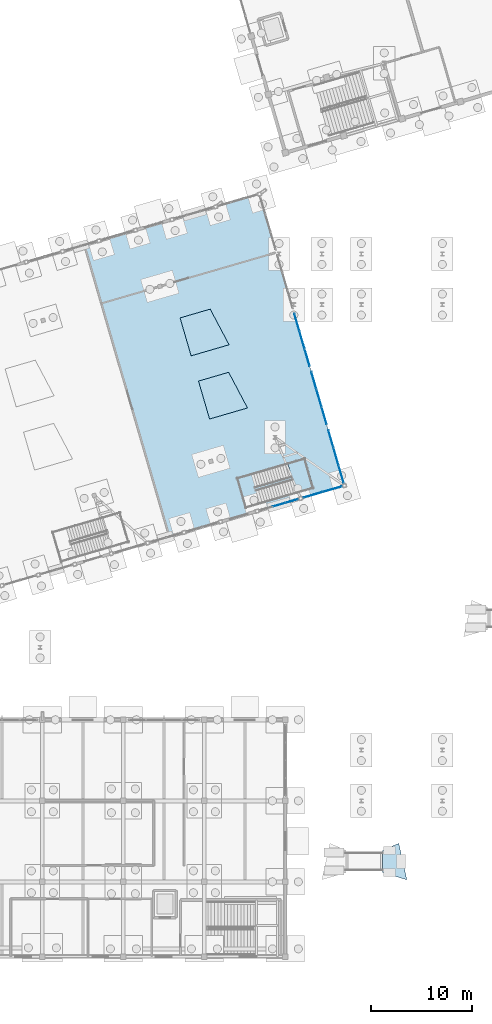
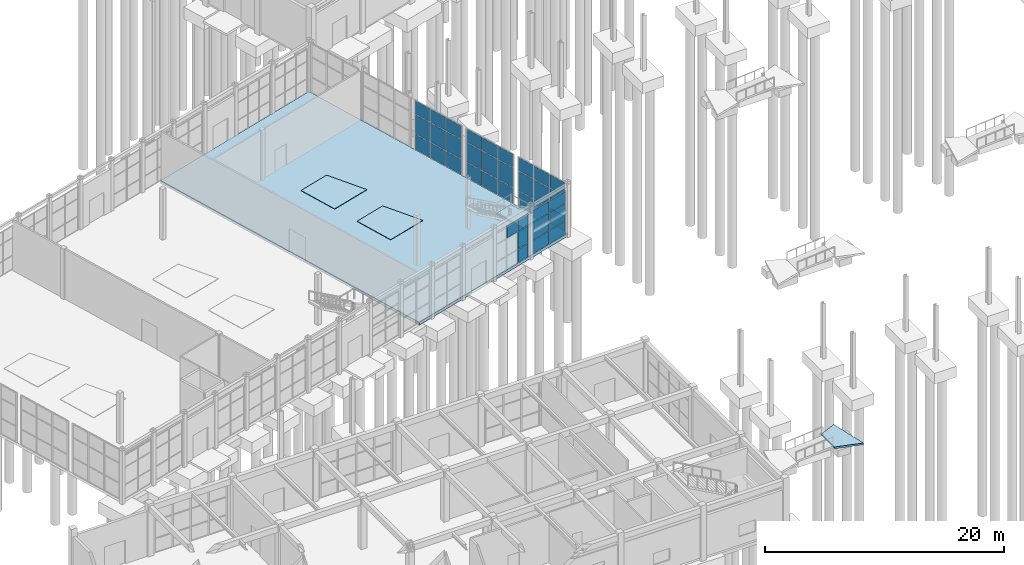
# One storey, part 64 of 90: 37 plates, 5 slabs, 6 elements without a shape of their own.
"""IFC4 building model written with IfcOpenShell, lengths in metres."""

import ifcopenshell
import ifcopenshell.guid

model = None  # the IFC model being written
_history = None  # IfcOwnerHistory: only IFC2X3 demands one
_inside = {}  # id of a spatial element -> (the spatial element, [elements in it])
_under = {}  # id of a project, library or spatial element -> (it, [spatial elements below it])
_declared = {}  # id of a project -> (the project, [libraries it declares])
_typed = {}  # id of a type object -> (the type object, [elements of that type])
_made_of = {}  # id of a material, layer set ... -> (it, [elements and type objects made of it])


def new_model(schema):
    """Start an empty IFC model of exactly this schema.

    Asked for "IFC4X3", IfcOpenShell would pick the latest addendum, in which some entities
    have other attributes; the version numbers below select the first issue.
    IFC2X3 requires an IfcOwnerHistory on every rooted entity: one is made here for all.
    """
    global model, _history
    if schema == "IFC4X3":
        model = ifcopenshell.file(schema_version=(4, 3, 0, 0))
    else:
        model = ifcopenshell.file(schema=schema)
    _inside.clear()
    _under.clear()
    _declared.clear()
    _typed.clear()
    _made_of.clear()
    _history = None
    if model.schema == "IFC2X3":
        org = make("IfcOrganization", Name="unknown")
        user = make(
            "IfcPersonAndOrganization",
            ThePerson=make("IfcPerson", FamilyName="unknown"),
            TheOrganization=org,
        )
        app = make(
            "IfcApplication",
            ApplicationDeveloper=org,
            Version="unknown",
            ApplicationFullName="unknown",
            ApplicationIdentifier="unknown",
        )
        _history = make(
            "IfcOwnerHistory",
            OwningUser=user,
            OwningApplication=app,
            ChangeAction="ADDED",
            CreationDate=0,
        )
    return model


def make(cls, **values):
    """One entity of the class cls with the attributes given. An attribute that is None is left unset."""
    return model.create_entity(
        cls, **{name: value for name, value in values.items() if value is not None}
    )


def rooted(cls, **values):
    """An entity with a GlobalId (a new one), such as an element, a storey or a relation."""
    return make(cls, GlobalId=ifcopenshell.guid.new(), OwnerHistory=_history, **values)


def si_unit(unit_type, name, prefix=None):
    """IfcSIUnit, for example si_unit("LENGTHUNIT", "METRE", prefix="MILLI")."""
    return make("IfcSIUnit", UnitType=unit_type, Prefix=prefix, Name=name)


def assignment(units):
    """IfcUnitAssignment: the units of a project."""
    return None if units is None else make("IfcUnitAssignment", Units=units)


def point(xyz):
    """IfcCartesianPoint."""
    return None if xyz is None else make("IfcCartesianPoint", Coordinates=xyz)


def direction(xyz):
    """IfcDirection."""
    return None if xyz is None else make("IfcDirection", DirectionRatios=xyz)


def frame(location, z_axis=None, x_axis=None):
    """IfcAxis2Placement3D, a coordinate frame: its origin and axes. An axis left out is left unset."""
    return make(
        "IfcAxis2Placement3D",
        Location=point(location),
        Axis=direction(z_axis),
        RefDirection=direction(x_axis),
    )


def frame_2d(location, x_axis=None):
    """IfcAxis2Placement2D, a coordinate frame in the plane: its origin and x axis."""
    return make(
        "IfcAxis2Placement2D", Location=point(location), RefDirection=direction(x_axis)
    )


def origin():
    """The frame at (0, 0, 0) with its axes left unset."""
    return frame((0.0, 0.0, 0.0))


def origin_2d():
    """The frame at (0, 0) in the plane with its x axis left unset."""
    return frame_2d((0.0, 0.0))


def place(relative_to, where):
    """IfcLocalPlacement: puts the frame where relative to a parent placement (None: the world)."""
    return make(
        "IfcLocalPlacement", PlacementRelTo=relative_to, RelativePlacement=where
    )


def context(
    kind, dimensions, precision=None, world=None, true_north=None, identifier=None
):
    """IfcGeometricRepresentationContext, for example the 3D "Model" context."""
    return make(
        "IfcGeometricRepresentationContext",
        ContextIdentifier=identifier,
        ContextType=kind,
        CoordinateSpaceDimension=dimensions,
        Precision=precision,
        WorldCoordinateSystem=world,
        TrueNorth=true_north,
    )


def subcontext(parent, identifier, kind, view, scale=None):
    """IfcGeometricRepresentationSubContext, for example "Body" below "Model"."""
    return make(
        "IfcGeometricRepresentationSubContext",
        ContextIdentifier=identifier,
        ContextType=kind,
        ParentContext=parent,
        TargetScale=scale,
        TargetView=view,
    )


def project(units=None, contexts=None):
    """IfcProject with its units and contexts."""
    return rooted(
        "IfcProject",
        Name="project",
        RepresentationContexts=contexts,
        UnitsInContext=assignment(units),
    )


def spatial(cls, under=None, at=None, **own):
    """A site, building, storey or space (cls), placed at a placement, below another one or the project."""
    s = rooted(cls, ObjectPlacement=at, **own)
    if under is not None:
        _under.setdefault(under.id(), (under, []))[1].append(s)
    return s


def polyline(points):
    """IfcPolyline through the points."""
    return make("IfcPolyline", Points=[point(p) for p in points])


def profile(cls, at=None, kind="AREA", **sizes):
    """A parametric profile (cls). Its sizes go by their IFC names, for example OverallWidth=200.0."""
    return make(cls, ProfileType=kind, Position=at, **sizes)


def rectangle(**sizes):
    """IfcRectangleProfileDef."""
    return profile("IfcRectangleProfileDef", **sizes)


def outline(outer, holes=None, kind="AREA"):
    """IfcArbitraryClosedProfileDef: a profile drawn as a closed curve; with holes, ...WithVoids."""
    if holes is None:
        return make("IfcArbitraryClosedProfileDef", ProfileType=kind, OuterCurve=outer)
    return make(
        "IfcArbitraryProfileDefWithVoids",
        ProfileType=kind,
        OuterCurve=outer,
        InnerCurves=holes,
    )


def extrude(swept, where, along, depth):
    """IfcExtrudedAreaSolid: the profile swept, set in the frame where, extruded along a direction by depth."""
    return make(
        "IfcExtrudedAreaSolid",
        SweptArea=swept,
        Position=where,
        ExtrudedDirection=direction(along),
        Depth=depth,
    )


def shape(context_of_items, identifier, shape_type, items):
    """IfcShapeRepresentation: the items that make up one representation, for example the "Body"."""
    return make(
        "IfcShapeRepresentation",
        ContextOfItems=context_of_items,
        RepresentationIdentifier=identifier,
        RepresentationType=shape_type,
        Items=items,
    )


def material(Name=None, Category=None):
    """IfcMaterial."""
    return make("IfcMaterial", Name=Name, Category=Category)


def layer(
    of_material, thickness, ventilated=None, Name=None, Category=None, Priority=None
):
    """IfcMaterialLayer: one layer of a wall or slab, of a material (None: an air gap)."""
    return make(
        "IfcMaterialLayer",
        Material=of_material,
        LayerThickness=thickness,
        IsVentilated=ventilated,
        Name=Name,
        Category=Category,
        Priority=Priority,
    )


def layer_set(layers, Name=None):
    """IfcMaterialLayerSet."""
    return make("IfcMaterialLayerSet", MaterialLayers=layers, LayerSetName=Name)


def made_of(thing, what):
    """Note that an element or type object is made of a material, layer set ...; save() writes the relation."""
    if what is not None:
        _made_of.setdefault(what.id(), (what, []))[1].append(thing)
    return thing


def type_object(cls, material=None, **own):
    """A type object (cls), such as IfcWallType, which elements share."""
    return made_of(rooted(cls, **own), material)


def element(
    cls,
    number,
    at=None,
    inside=None,
    cuts=None,
    type_object=None,
    material=None,
    context=None,
    identifier="Body",
    shape_type=None,
    held_by="IfcProductDefinitionShape",
    body=None,
    shapes=None,
    **own,
):
    """One element of the class cls, such as IfcWall. Its Tag is "e" and its number.

    at: its placement. inside: the storey or other place that contains it. cuts: it is an
    opening in that element (IfcRelVoidsElement). A single representation is given by context,
    identifier, shape_type and body (its items); several are given by shapes. held_by: the class
    of the entity that holds the representations. save() writes the other relations.
    """
    e = rooted(cls, Tag="e%d" % number, ObjectPlacement=at, **own)
    if body is not None:
        shapes = [shape(context, identifier, shape_type, body)]
    if shapes is not None:
        e.Representation = make(held_by, Representations=shapes)
    if inside is not None:
        _inside.setdefault(inside.id(), (inside, []))[1].append(e)
    if cuts is not None:
        rooted(
            "IfcRelVoidsElement", RelatingBuildingElement=cuts, RelatedOpeningElement=e
        )
    if type_object is not None:
        _typed.setdefault(type_object.id(), (type_object, []))[1].append(e)
    return made_of(e, material)


def aggregate(whole, parts):
    """IfcRelAggregates: a whole, such as a stair, and the parts it consists of."""
    return rooted("IfcRelAggregates", RelatingObject=whole, RelatedObjects=parts)


def save(model, path):
    """Write the relations noted so far, then the file.

    IfcRelAggregates (storeys below a building ...), IfcRelContainedInSpatialStructure (elements
    in a storey), IfcRelDefinesByType, IfcRelAssociatesMaterial and IfcRelDeclares: one each for
    every whole, place, type object, material and project.
    """
    for whole, parts in _under.values():
        aggregate(whole, parts)
    for where, things in _inside.values():
        rooted(
            "IfcRelContainedInSpatialStructure",
            RelatedElements=things,
            RelatingStructure=where,
        )
    for kind, things in _typed.values():
        rooted("IfcRelDefinesByType", RelatedObjects=things, RelatingType=kind)
    for what, things in _made_of.values():
        rooted("IfcRelAssociatesMaterial", RelatedObjects=things, RelatingMaterial=what)
    for by, libraries in _declared.values():
        rooted("IfcRelDeclares", RelatingContext=by, RelatedDefinitions=libraries)
    model.write(path)


model = new_model("IFC4")

# Units and contexts
model_context = context("Model", 3, precision=1e-05, world=origin(), true_north=direction((0.0, 1.0)))
body_context = subcontext(model_context, "Body", "Model", "MODEL_VIEW")
ifc_project = project(units=[si_unit("LENGTHUNIT", "METRE"), si_unit("AREAUNIT", "SQUARE_METRE"), si_unit("VOLUMEUNIT", "CUBIC_METRE"), si_unit("PLANEANGLEUNIT", "RADIAN"), si_unit("MASSUNIT", "GRAM", prefix="KILO")], contexts=[model_context])

# Site, building, storey
site_placement = place(None, origin())
site = spatial("IfcSite", under=ifc_project, at=site_placement, CompositionType="ELEMENT")
building_placement = place(site_placement, origin())
building = spatial("IfcBuilding", under=site, at=building_placement, Name="Canggui Botanical Conservatory", CompositionType="ELEMENT")
storey_placement = place(building_placement, origin())
storey = spatial("IfcBuildingStorey", under=building, at=storey_placement, Name="L01", CompositionType="ELEMENT", Elevation=0.0)

# Curtain wall, plates
ifc_material_1 = material(Name="Thermally Broken Aluminium", Category="aluminium")
ifc_layer_1 = layer(ifc_material_1, 0.14990234375, Name="Thermally Broken Aluminium", Category="aluminium")
ifc_layer_set_1 = layer_set([ifc_layer_1], Name="Thermally Broken Aluminium")
curtain_wall_type_1 = type_object("IfcCurtainWallType", Name="CW-UNIT-C", PredefinedType="USERDEFINED", material=ifc_layer_set_1)
curtain_wall_1_placement = place(storey_placement, origin())
curtain_wall_1 = element("IfcCurtainWall", 1, at=curtain_wall_1_placement, inside=storey, type_object=curtain_wall_type_1, Name="Facade Curtain Wall CW-CONS-GABLE-N-01", ObjectType="UNITISED CURTAIN WALL", PredefinedType="USERDEFINED")
ifc_material_2 = material(Name="Low-E Insulated Glass", Category="glass")
ifc_layer_2 = layer(ifc_material_2, 0.033935546875, Name="Low-E Insulated Glass", Category="glass")
ifc_layer_set_2 = layer_set([ifc_layer_2], Name="Low-E Insulated Glass")
plate_type_1 = type_object("IfcPlateType", Name="CWP-03", PredefinedType="CURTAIN_PANEL", material=ifc_layer_set_2)
plate_1_placement = place(storey_placement, frame((71.509033203125, 58.25439453125, 0.05517578125), z_axis=(0.0, 0.0, 1.0), x_axis=(-0.279999999995, 0.960000000002, 0.0)))
plate_1 = element("IfcPlate", 2, at=plate_1_placement, type_object=plate_type_1, Name="CW-03 panel 1.1", PredefinedType="CURTAIN_PANEL", context=body_context, shape_type="SweptSolid", body=[
    extrude(rectangle(XDim=1.743408203125, YDim=0.033935546875, at=origin_2d()), origin(), (0.0, 0.0, 1.0), 1.549560546875),
])
plate_2_placement = place(storey_placement, frame((71.509033203125, 58.25439453125, 1.65966796875), z_axis=(0.0, 0.0, 1.0), x_axis=(-0.279999999995, 0.960000000002, 0.0)))
plate_2 = element("IfcPlate", 3, at=plate_2_placement, type_object=plate_type_1, Name="CW-03 panel 1.2", PredefinedType="CURTAIN_PANEL", context=body_context, shape_type="SweptSolid", body=[
    extrude(rectangle(XDim=1.743408203125, YDim=0.033935546875, at=origin_2d()), origin(), (0.0, 0.0, 1.0), 1.985107421875),
])
plate_3_placement = place(storey_placement, frame((71.509033203125, 58.25439453125, 3.69970703125), z_axis=(0.0, 0.0, 1.0), x_axis=(-0.279999999995, 0.960000000002, 0.0)))
plate_3 = element("IfcPlate", 4, at=plate_3_placement, type_object=plate_type_1, Name="CW-03 panel 1.3", PredefinedType="CURTAIN_PANEL", context=body_context, shape_type="SweptSolid", body=[
    extrude(rectangle(XDim=1.743408203125, YDim=0.033935546875, at=origin_2d()), origin(), (0.0, 0.0, 1.0), 1.345458984375),
])
plate_4_placement = place(storey_placement, frame((71.0, 60.0, 0.05517578125), z_axis=(0.0, 0.0, 1.0), x_axis=(-0.279999999995, 0.960000000002, 0.0)))
plate_4 = element("IfcPlate", 5, at=plate_4_placement, type_object=plate_type_1, Name="CW-03 panel 2.1", PredefinedType="CURTAIN_PANEL", context=body_context, shape_type="SweptSolid", body=[
    extrude(rectangle(XDim=1.7734375, YDim=0.033935546875, at=origin_2d()), origin(), (0.0, 0.0, 1.0), 1.549560546875),
])
plate_5_placement = place(storey_placement, frame((71.0, 60.0, 1.65966796875), z_axis=(0.0, 0.0, 1.0), x_axis=(-0.279999999995, 0.960000000002, 0.0)))
plate_5 = element("IfcPlate", 6, at=plate_5_placement, type_object=plate_type_1, Name="CW-03 panel 2.2", PredefinedType="CURTAIN_PANEL", context=body_context, shape_type="SweptSolid", body=[
    extrude(rectangle(XDim=1.7734375, YDim=0.033935546875, at=origin_2d()), origin(), (0.0, 0.0, 1.0), 1.985107421875),
])
plate_6_placement = place(storey_placement, frame((71.0, 60.0, 3.69970703125), z_axis=(0.0, 0.0, 1.0), x_axis=(-0.279999999995, 0.960000000002, 0.0)))
plate_6 = element("IfcPlate", 7, at=plate_6_placement, type_object=plate_type_1, Name="CW-03 panel 2.3", PredefinedType="CURTAIN_PANEL", context=body_context, shape_type="SweptSolid", body=[
    extrude(rectangle(XDim=1.7734375, YDim=0.033935546875, at=origin_2d()), origin(), (0.0, 0.0, 1.0), 1.345458984375),
])
plate_7_placement = place(storey_placement, frame((70.490966796875, 61.74560546875, 0.05517578125), z_axis=(0.0, 0.0, 1.0), x_axis=(-0.279999999995, 0.960000000002, 0.0)))
plate_7 = element("IfcPlate", 8, at=plate_7_placement, type_object=plate_type_1, Name="CW-03 panel 3.1", PredefinedType="CURTAIN_PANEL", context=body_context, shape_type="SweptSolid", body=[
    extrude(rectangle(XDim=1.743408203125, YDim=0.033935546875, at=origin_2d()), origin(), (0.0, 0.0, 1.0), 1.549560546875),
])
plate_8_placement = place(storey_placement, frame((70.490966796875, 61.74560546875, 1.65966796875), z_axis=(0.0, 0.0, 1.0), x_axis=(-0.279999999995, 0.960000000002, 0.0)))
plate_8 = element("IfcPlate", 9, at=plate_8_placement, type_object=plate_type_1, Name="CW-03 panel 3.2", PredefinedType="CURTAIN_PANEL", context=body_context, shape_type="SweptSolid", body=[
    extrude(rectangle(XDim=1.743408203125, YDim=0.033935546875, at=origin_2d()), origin(), (0.0, 0.0, 1.0), 1.985107421875),
])
plate_9_placement = place(storey_placement, frame((70.490966796875, 61.74560546875, 3.69970703125), z_axis=(0.0, 0.0, 1.0), x_axis=(-0.279999999995, 0.960000000002, 0.0)))
plate_9 = element("IfcPlate", 10, at=plate_9_placement, type_object=plate_type_1, Name="CW-03 panel 3.3", PredefinedType="CURTAIN_PANEL", context=body_context, shape_type="SweptSolid", body=[
    extrude(rectangle(XDim=1.743408203125, YDim=0.033935546875, at=origin_2d()), origin(), (0.0, 0.0, 1.0), 1.345458984375),
])
aggregate(curtain_wall_1, [plate_1, plate_2, plate_3, plate_4, plate_5, plate_6, plate_7, plate_8, plate_9])

curtain_wall_2_placement = place(storey_placement, origin())
curtain_wall_2 = element("IfcCurtainWall", 11, at=curtain_wall_2_placement, inside=storey, type_object=curtain_wall_type_1, Name="Facade Curtain Wall CW-CONS-GABLE-N-02", ObjectType="UNITISED CURTAIN WALL", PredefinedType="USERDEFINED")
plate_10_placement = place(storey_placement, frame((69.8291015625, 64.014404296875, 0.05517578125), z_axis=(0.0, 0.0, 1.0), x_axis=(-0.279999999995, 0.960000000002, 0.0)))
plate_10 = element("IfcPlate", 12, at=plate_10_placement, type_object=plate_type_1, Name="CW-03 panel 1.1", PredefinedType="CURTAIN_PANEL", context=body_context, shape_type="SweptSolid", body=[
    extrude(rectangle(XDim=1.743408203125, YDim=0.033935546875, at=origin_2d()), origin(), (0.0, 0.0, 1.0), 1.549560546875),
])
plate_11_placement = place(storey_placement, frame((69.8291015625, 64.014404296875, 1.65966796875), z_axis=(0.0, 0.0, 1.0), x_axis=(-0.279999999995, 0.960000000002, 0.0)))
plate_11 = element("IfcPlate", 13, at=plate_11_placement, type_object=plate_type_1, Name="CW-03 panel 1.2", PredefinedType="CURTAIN_PANEL", context=body_context, shape_type="SweptSolid", body=[
    extrude(rectangle(XDim=1.743408203125, YDim=0.033935546875, at=origin_2d()), origin(), (0.0, 0.0, 1.0), 1.985107421875),
])
plate_12_placement = place(storey_placement, frame((69.8291015625, 64.014404296875, 3.69970703125), z_axis=(0.0, 0.0, 1.0), x_axis=(-0.279999999995, 0.960000000002, 0.0)))
plate_12 = element("IfcPlate", 14, at=plate_12_placement, type_object=plate_type_1, Name="CW-03 panel 1.3", PredefinedType="CURTAIN_PANEL", context=body_context, shape_type="SweptSolid", body=[
    extrude(rectangle(XDim=1.743408203125, YDim=0.033935546875, at=origin_2d()), origin(), (0.0, 0.0, 1.0), 1.345458984375),
])
plate_13_placement = place(storey_placement, frame((69.320068359375, 65.760009765625, 0.05517578125), z_axis=(0.0, 0.0, 1.0), x_axis=(-0.279999999995, 0.960000000002, 0.0)))
plate_13 = element("IfcPlate", 15, at=plate_13_placement, type_object=plate_type_1, Name="CW-03 panel 2.1", PredefinedType="CURTAIN_PANEL", context=body_context, shape_type="SweptSolid", body=[
    extrude(rectangle(XDim=1.7734375, YDim=0.033935546875, at=origin_2d()), origin(), (0.0, 0.0, 1.0), 1.549560546875),
])
plate_14_placement = place(storey_placement, frame((69.320068359375, 65.760009765625, 1.65966796875), z_axis=(0.0, 0.0, 1.0), x_axis=(-0.279999999995, 0.960000000002, 0.0)))
plate_14 = element("IfcPlate", 16, at=plate_14_placement, type_object=plate_type_1, Name="CW-03 panel 2.2", PredefinedType="CURTAIN_PANEL", context=body_context, shape_type="SweptSolid", body=[
    extrude(rectangle(XDim=1.7734375, YDim=0.033935546875, at=origin_2d()), origin(), (0.0, 0.0, 1.0), 1.985107421875),
])
plate_15_placement = place(storey_placement, frame((69.320068359375, 65.760009765625, 3.69970703125), z_axis=(0.0, 0.0, 1.0), x_axis=(-0.279999999995, 0.960000000002, 0.0)))
plate_15 = element("IfcPlate", 17, at=plate_15_placement, type_object=plate_type_1, Name="CW-03 panel 2.3", PredefinedType="CURTAIN_PANEL", context=body_context, shape_type="SweptSolid", body=[
    extrude(rectangle(XDim=1.7734375, YDim=0.033935546875, at=origin_2d()), origin(), (0.0, 0.0, 1.0), 1.345458984375),
])
plate_16_placement = place(storey_placement, frame((68.810791015625, 67.505615234375, 0.05517578125), z_axis=(0.0, 0.0, 1.0), x_axis=(-0.279999999995, 0.960000000002, 0.0)))
plate_16 = element("IfcPlate", 18, at=plate_16_placement, type_object=plate_type_1, Name="CW-03 panel 3.1", PredefinedType="CURTAIN_PANEL", context=body_context, shape_type="SweptSolid", body=[
    extrude(rectangle(XDim=1.743408203125, YDim=0.033935546875, at=origin_2d()), origin(), (0.0, 0.0, 1.0), 1.549560546875),
])
plate_17_placement = place(storey_placement, frame((68.810791015625, 67.505615234375, 1.65966796875), z_axis=(0.0, 0.0, 1.0), x_axis=(-0.279999999995, 0.960000000002, 0.0)))
plate_17 = element("IfcPlate", 19, at=plate_17_placement, type_object=plate_type_1, Name="CW-03 panel 3.2", PredefinedType="CURTAIN_PANEL", context=body_context, shape_type="SweptSolid", body=[
    extrude(rectangle(XDim=1.743408203125, YDim=0.033935546875, at=origin_2d()), origin(), (0.0, 0.0, 1.0), 1.985107421875),
])
plate_18_placement = place(storey_placement, frame((68.810791015625, 67.505615234375, 3.69970703125), z_axis=(0.0, 0.0, 1.0), x_axis=(-0.279999999995, 0.960000000002, 0.0)))
plate_18 = element("IfcPlate", 20, at=plate_18_placement, type_object=plate_type_1, Name="CW-03 panel 3.3", PredefinedType="CURTAIN_PANEL", context=body_context, shape_type="SweptSolid", body=[
    extrude(rectangle(XDim=1.743408203125, YDim=0.033935546875, at=origin_2d()), origin(), (0.0, 0.0, 1.0), 1.345458984375),
])
aggregate(curtain_wall_2, [plate_10, plate_11, plate_12, plate_13, plate_14, plate_15, plate_16, plate_17, plate_18])

curtain_wall_3_placement = place(storey_placement, origin())
curtain_wall_3 = element("IfcCurtainWall", 21, at=curtain_wall_3_placement, inside=storey, type_object=curtain_wall_type_1, Name="Facade Curtain Wall CW-CONS-GABLE-N-03", ObjectType="UNITISED CURTAIN WALL", PredefinedType="USERDEFINED")
plate_19_placement = place(storey_placement, frame((68.149169921875, 69.7744140625, 0.05517578125), z_axis=(0.0, 0.0, 1.0), x_axis=(-0.279999999995, 0.960000000002, 0.0)))
plate_19 = element("IfcPlate", 22, at=plate_19_placement, type_object=plate_type_1, Name="CW-03 panel 1.1", PredefinedType="CURTAIN_PANEL", context=body_context, shape_type="SweptSolid", body=[
    extrude(rectangle(XDim=1.743408203125, YDim=0.033935546875, at=origin_2d()), origin(), (0.0, 0.0, 1.0), 1.549560546875),
])
plate_20_placement = place(storey_placement, frame((68.149169921875, 69.7744140625, 1.65966796875), z_axis=(0.0, 0.0, 1.0), x_axis=(-0.279999999995, 0.960000000002, 0.0)))
plate_20 = element("IfcPlate", 23, at=plate_20_placement, type_object=plate_type_1, Name="CW-03 panel 1.2", PredefinedType="CURTAIN_PANEL", context=body_context, shape_type="SweptSolid", body=[
    extrude(rectangle(XDim=1.743408203125, YDim=0.033935546875, at=origin_2d()), origin(), (0.0, 0.0, 1.0), 1.985107421875),
])
plate_21_placement = place(storey_placement, frame((68.149169921875, 69.7744140625, 3.69970703125), z_axis=(0.0, 0.0, 1.0), x_axis=(-0.279999999995, 0.960000000002, 0.0)))
plate_21 = element("IfcPlate", 24, at=plate_21_placement, type_object=plate_type_1, Name="CW-03 panel 1.3", PredefinedType="CURTAIN_PANEL", context=body_context, shape_type="SweptSolid", body=[
    extrude(rectangle(XDim=1.743408203125, YDim=0.033935546875, at=origin_2d()), origin(), (0.0, 0.0, 1.0), 1.345458984375),
])
plate_22_placement = place(storey_placement, frame((67.639892578125, 71.52001953125, 0.05517578125), z_axis=(0.0, 0.0, 1.0), x_axis=(-0.279999999995, 0.960000000002, 0.0)))
plate_22 = element("IfcPlate", 25, at=plate_22_placement, type_object=plate_type_1, Name="CW-03 panel 2.1", PredefinedType="CURTAIN_PANEL", context=body_context, shape_type="SweptSolid", body=[
    extrude(rectangle(XDim=1.7734375, YDim=0.033935546875, at=origin_2d()), origin(), (0.0, 0.0, 1.0), 1.549560546875),
])
plate_23_placement = place(storey_placement, frame((67.639892578125, 71.52001953125, 1.65966796875), z_axis=(0.0, 0.0, 1.0), x_axis=(-0.279999999995, 0.960000000002, 0.0)))
plate_23 = element("IfcPlate", 26, at=plate_23_placement, type_object=plate_type_1, Name="CW-03 panel 2.2", PredefinedType="CURTAIN_PANEL", context=body_context, shape_type="SweptSolid", body=[
    extrude(rectangle(XDim=1.7734375, YDim=0.033935546875, at=origin_2d()), origin(), (0.0, 0.0, 1.0), 1.985107421875),
])
plate_24_placement = place(storey_placement, frame((67.639892578125, 71.52001953125, 3.69970703125), z_axis=(0.0, 0.0, 1.0), x_axis=(-0.279999999995, 0.960000000002, 0.0)))
plate_24 = element("IfcPlate", 27, at=plate_24_placement, type_object=plate_type_1, Name="CW-03 panel 2.3", PredefinedType="CURTAIN_PANEL", context=body_context, shape_type="SweptSolid", body=[
    extrude(rectangle(XDim=1.7734375, YDim=0.033935546875, at=origin_2d()), origin(), (0.0, 0.0, 1.0), 1.345458984375),
])
plate_25_placement = place(storey_placement, frame((67.130859375, 73.265625, 0.05517578125), z_axis=(0.0, 0.0, 1.0), x_axis=(-0.279999999995, 0.960000000002, 0.0)))
plate_25 = element("IfcPlate", 28, at=plate_25_placement, type_object=plate_type_1, Name="CW-03 panel 3.1", PredefinedType="CURTAIN_PANEL", context=body_context, shape_type="SweptSolid", body=[
    extrude(rectangle(XDim=1.743408203125, YDim=0.033935546875, at=origin_2d()), origin(), (0.0, 0.0, 1.0), 1.549560546875),
])
plate_26_placement = place(storey_placement, frame((67.130859375, 73.265625, 1.65966796875), z_axis=(0.0, 0.0, 1.0), x_axis=(-0.279999999995, 0.960000000002, 0.0)))
plate_26 = element("IfcPlate", 29, at=plate_26_placement, type_object=plate_type_1, Name="CW-03 panel 3.2", PredefinedType="CURTAIN_PANEL", context=body_context, shape_type="SweptSolid", body=[
    extrude(rectangle(XDim=1.743408203125, YDim=0.033935546875, at=origin_2d()), origin(), (0.0, 0.0, 1.0), 1.985107421875),
])
plate_27_placement = place(storey_placement, frame((67.130859375, 73.265625, 3.69970703125), z_axis=(0.0, 0.0, 1.0), x_axis=(-0.279999999995, 0.960000000002, 0.0)))
plate_27 = element("IfcPlate", 30, at=plate_27_placement, type_object=plate_type_1, Name="CW-03 panel 3.3", PredefinedType="CURTAIN_PANEL", context=body_context, shape_type="SweptSolid", body=[
    extrude(rectangle(XDim=1.743408203125, YDim=0.033935546875, at=origin_2d()), origin(), (0.0, 0.0, 1.0), 1.345458984375),
])
aggregate(curtain_wall_3, [plate_19, plate_20, plate_21, plate_22, plate_23, plate_24, plate_25, plate_26, plate_27])

ifc_layer_3 = layer(ifc_material_1, 0.1201171875, Name="Thermally Broken Aluminium", Category="aluminium")
ifc_layer_set_3 = layer_set([ifc_layer_3], Name="Thermally Broken Aluminium")
curtain_wall_type_2 = type_object("IfcCurtainWallType", Name="CW-STICK-B", PredefinedType="USERDEFINED", material=ifc_layer_set_3)
curtain_wall_4_placement = place(storey_placement, origin())
curtain_wall_4 = element("IfcCurtainWall", 31, at=curtain_wall_4_placement, inside=storey, type_object=curtain_wall_type_2, Name="Facade Curtain Wall CW-CONS-L01-V0-13", ObjectType="STICK GLAZED WALL", PredefinedType="USERDEFINED")
ifc_layer_4 = layer(ifc_material_2, 0.0419921875, Name="Low-E Insulated Glass", Category="glass")
ifc_layer_set_4 = layer_set([ifc_layer_4], Name="Low-E Insulated Glass")
plate_type_2 = type_object("IfcPlateType", Name="CWP-05", PredefinedType="CURTAIN_PANEL", material=ifc_layer_set_4)
plate_28_placement = place(storey_placement, frame((66.626708984375, 55.599365234375, 0.044921875), z_axis=(0.0, 0.0, 1.0), x_axis=(-0.960000000002, -0.279999999995, 0.0)))
plate_28 = element("IfcPlate", 32, at=plate_28_placement, type_object=plate_type_2, Name="CW-05 panel 1.1", PredefinedType="CURTAIN_PANEL", context=body_context, shape_type="SweptSolid", body=[
    extrude(rectangle(XDim=1.250732421875, YDim=0.0419921875, at=origin_2d()), origin(), (0.0, 0.0, 1.0), 1.37255859375),
])
plate_29_placement = place(storey_placement, frame((66.626708984375, 55.599365234375, 1.462646484375), z_axis=(0.0, 0.0, 1.0), x_axis=(-0.960000000002, -0.279999999995, 0.0)))
plate_29 = element("IfcPlate", 33, at=plate_29_placement, type_object=plate_type_2, Name="CW-05 panel 1.2", PredefinedType="CURTAIN_PANEL", context=body_context, shape_type="SweptSolid", body=[
    extrude(rectangle(XDim=1.250732421875, YDim=0.0419921875, at=origin_2d()), origin(), (0.0, 0.0, 1.0), 1.7548828125),
])
plate_30_placement = place(storey_placement, frame((66.626708984375, 55.599365234375, 3.262451171875), z_axis=(0.0, 0.0, 1.0), x_axis=(-0.960000000002, -0.279999999995, 0.0)))
plate_30 = element("IfcPlate", 34, at=plate_30_placement, type_object=plate_type_2, Name="CW-05 panel 1.3", PredefinedType="CURTAIN_PANEL", context=body_context, shape_type="SweptSolid", body=[
    extrude(rectangle(XDim=1.250732421875, YDim=0.0419921875, at=origin_2d()), origin(), (0.0, 0.0, 1.0), 1.1923828125),
])
plate_31_placement = place(storey_placement, frame((65.360107421875, 55.22998046875, 3.262451171875), z_axis=(0.0, 0.0, 1.0), x_axis=(-0.960000000002, -0.279999999995, 0.0)))
plate_31 = element("IfcPlate", 35, at=plate_31_placement, type_object=plate_type_2, Name="CW-05 panel 2.3", PredefinedType="CURTAIN_PANEL", context=body_context, shape_type="SweptSolid", body=[
    extrude(rectangle(XDim=1.2783203125, YDim=0.0419921875, at=origin_2d()), origin(), (0.0, 0.0, 1.0), 1.1923828125),
])
aggregate(curtain_wall_4, [plate_28, plate_29, plate_30, plate_31])

curtain_wall_5_placement = place(storey_placement, origin())
curtain_wall_5 = element("IfcCurtainWall", 36, at=curtain_wall_5_placement, inside=storey, type_object=curtain_wall_type_2, Name="Facade Curtain Wall CW-CONS-L01-V0-14", ObjectType="STICK GLAZED WALL", PredefinedType="USERDEFINED")
plate_32_placement = place(storey_placement, frame((70.626708984375, 56.76611328125, 0.044921875), z_axis=(0.0, 0.0, 1.0), x_axis=(-0.960000000002, -0.279999999995, 0.0)))
plate_32 = element("IfcPlate", 37, at=plate_32_placement, type_object=plate_type_2, Name="CW-05 panel 1.1", PredefinedType="CURTAIN_PANEL", context=body_context, shape_type="SweptSolid", body=[
    extrude(rectangle(XDim=1.91748046875, YDim=0.0419921875, at=origin_2d()), origin(), (0.0, 0.0, 1.0), 1.37255859375),
])
plate_33_placement = place(storey_placement, frame((70.626708984375, 56.76611328125, 1.462646484375), z_axis=(0.0, 0.0, 1.0), x_axis=(-0.960000000002, -0.279999999995, 0.0)))
plate_33 = element("IfcPlate", 38, at=plate_33_placement, type_object=plate_type_2, Name="CW-05 panel 1.2", PredefinedType="CURTAIN_PANEL", context=body_context, shape_type="SweptSolid", body=[
    extrude(rectangle(XDim=1.91748046875, YDim=0.0419921875, at=origin_2d()), origin(), (0.0, 0.0, 1.0), 1.7548828125),
])
plate_34_placement = place(storey_placement, frame((70.626708984375, 56.76611328125, 3.262451171875), z_axis=(0.0, 0.0, 1.0), x_axis=(-0.960000000002, -0.279999999995, 0.0)))
plate_34 = element("IfcPlate", 39, at=plate_34_placement, type_object=plate_type_2, Name="CW-05 panel 1.3", PredefinedType="CURTAIN_PANEL", context=body_context, shape_type="SweptSolid", body=[
    extrude(rectangle(XDim=1.91748046875, YDim=0.0419921875, at=origin_2d()), origin(), (0.0, 0.0, 1.0), 1.1923828125),
])
plate_35_placement = place(storey_placement, frame((68.733154296875, 56.2138671875, 0.044921875), z_axis=(0.0, 0.0, 1.0), x_axis=(-0.960000000002, -0.279999999995, 0.0)))
plate_35 = element("IfcPlate", 40, at=plate_35_placement, type_object=plate_type_2, Name="CW-05 panel 2.1", PredefinedType="CURTAIN_PANEL", context=body_context, shape_type="SweptSolid", body=[
    extrude(rectangle(XDim=1.91748046875, YDim=0.0419921875, at=origin_2d()), origin(), (0.0, 0.0, 1.0), 1.37255859375),
])
plate_36_placement = place(storey_placement, frame((68.733154296875, 56.2138671875, 1.462646484375), z_axis=(0.0, 0.0, 1.0), x_axis=(-0.960000000002, -0.279999999995, 0.0)))
plate_36 = element("IfcPlate", 41, at=plate_36_placement, type_object=plate_type_2, Name="CW-05 panel 2.2", PredefinedType="CURTAIN_PANEL", context=body_context, shape_type="SweptSolid", body=[
    extrude(rectangle(XDim=1.91748046875, YDim=0.0419921875, at=origin_2d()), origin(), (0.0, 0.0, 1.0), 1.7548828125),
])
plate_37_placement = place(storey_placement, frame((68.733154296875, 56.2138671875, 3.262451171875), z_axis=(0.0, 0.0, 1.0), x_axis=(-0.960000000002, -0.279999999995, 0.0)))
plate_37 = element("IfcPlate", 42, at=plate_37_placement, type_object=plate_type_2, Name="CW-05 panel 2.3", PredefinedType="CURTAIN_PANEL", context=body_context, shape_type="SweptSolid", body=[
    extrude(rectangle(XDim=1.91748046875, YDim=0.0419921875, at=origin_2d()), origin(), (0.0, 0.0, 1.0), 1.1923828125),
])
aggregate(curtain_wall_5, [plate_32, plate_33, plate_34, plate_35, plate_36, plate_37])

# Slab
ifc_material_3 = material(Name="Concrete C35", Category="concrete")
ifc_layer_5 = layer(ifc_material_3, 0.300048828125, Name="Concrete C35", Category="concrete")
ifc_layer_set_5 = layer_set([ifc_layer_5], Name="Concrete C35")
slab_type_1 = type_object("IfcSlabType", Name="SLAB-F300", PredefinedType="FLOOR", material=ifc_layer_set_5)
slab_1_placement = place(storey_placement, frame((0.0, 0.0, -0.300048828125)))
element("IfcSlab", 43, at=slab_1_placement, inside=storey, type_object=slab_type_1, Name="Conservatory Tropical Biome Base Slab", PredefinedType="FLOOR", context=body_context, shape_type="SweptSolid", body=[
    extrude(outline(polyline([(54.56005859375, 52.080078125), (71.840087890625, 57.1201171875), (63.43994140625, 85.919921875), (46.159912109375, 80.8798828125), (54.56005859375, 52.080078125)])), origin(), (0.0, 0.0, 1.0), 0.300048828125),
])

# Stair, slab
stair_type = type_object("IfcStairType", Name="STR-TYPE-1", PredefinedType="HALF_TURN_STAIR", material=ifc_material_3)
stair_placement = place(storey_placement, origin())
stair = element("IfcStair", 44, at=stair_placement, inside=storey, type_object=stair_type, Name="L01 Conservatory North Skywalk Stair ST-C2", PredefinedType="HALF_TURN_STAIR")
ifc_layer_6 = layer(ifc_material_3, 0.199951171875, Name="Concrete C35", Category="concrete")
ifc_layer_set_6 = layer_set([ifc_layer_6], Name="Concrete C35")
slab_type_2 = type_object("IfcSlabType", Name="SLAB-LND-200", PredefinedType="LANDING", material=ifc_layer_set_6)
slab_2_placement = place(storey_placement, frame((0.0, 0.0, 2.5)))
slab_2 = element("IfcSlab", 45, at=slab_2_placement, type_object=slab_type_2, Name="ST-C2 landing 1", PredefinedType="LANDING", context=body_context, shape_type="SweptSolid", body=[
    extrude(outline(polyline([(67.09228515625, 56.3603515625), (68.7919921875, 56.85595703125), (67.924072265625, 59.83203125), (66.224365234375, 59.336181640625), (67.09228515625, 56.3603515625)])), origin(), (0.0, 0.0, 1.0), 0.199951171875),
])
aggregate(stair, [slab_2])

# Slabs
ifc_layer_7 = layer(ifc_material_3, 0.179931640625, Name="Concrete C35", Category="concrete")
ifc_layer_set_7 = layer_set([ifc_layer_7], Name="Concrete C35")
slab_type_3 = type_object("IfcSlabType", Name="SLAB-PAV-180", PredefinedType="USERDEFINED", material=ifc_layer_set_7)
slab_3_placement = place(storey_placement, origin())
element("IfcSlab", 46, at=slab_3_placement, inside=storey, type_object=slab_type_3, Name="Conservatory Tropical Root-Bed Slab 1", ObjectType="PAVING", PredefinedType="USERDEFINED", context=body_context, shape_type="SweptSolid", body=[
    extrude(outline(polyline([(58.513916015625, 63.701904296875), (62.258056640625, 64.7939453125), (60.39794921875, 68.31396484375), (57.422119140625, 67.446044921875), (58.513916015625, 63.701904296875)])), origin(), (0.0, 0.0, 1.0), 0.034912109375),
])
slab_4_placement = place(storey_placement, origin())
element("IfcSlab", 47, at=slab_4_placement, inside=storey, type_object=slab_type_3, Name="Conservatory Tropical Root-Bed Slab 2", ObjectType="PAVING", PredefinedType="USERDEFINED", context=body_context, shape_type="SweptSolid", body=[
    extrude(outline(polyline([(56.694091796875, 69.94189453125), (60.43798828125, 71.033935546875), (58.577880859375, 74.553955078125), (55.60205078125, 73.68603515625), (56.694091796875, 69.94189453125)])), origin(), (0.0, 0.0, 1.0), 0.034912109375),
])
slab_5_placement = place(storey_placement, frame((0.0, 0.0, -0.179931640625)))
element("IfcSlab", 48, at=slab_5_placement, inside=storey, type_object=slab_type_3, Name="PR-01 Upper Courtyard Landing Paving", ObjectType="PAVING", PredefinedType="USERDEFINED", context=body_context, shape_type="SweptSolid", body=[
    extrude(outline(polyline([(75.599609375, 18.89990234375), (78.0, 18.199951171875), (77.199951171875, 21.800048828125), (75.599609375, 21.10009765625), (75.599609375, 18.89990234375)])), origin(), (0.0, 0.0, 1.0), 0.179931640625),
])

save(model, "model.ifc")
